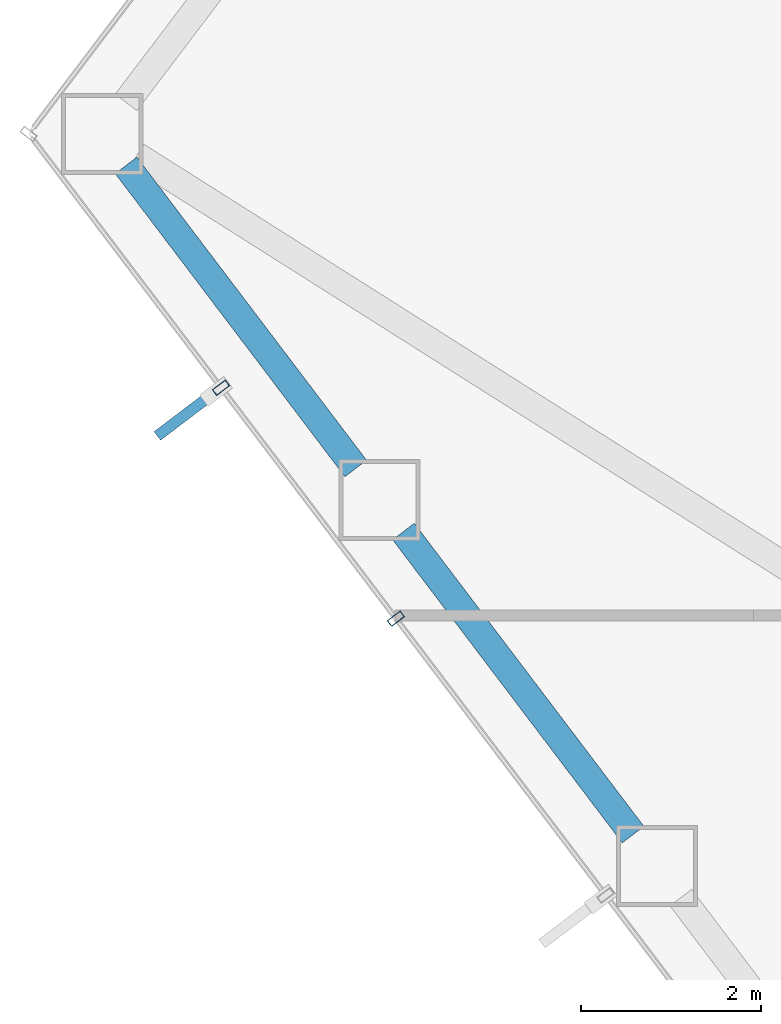
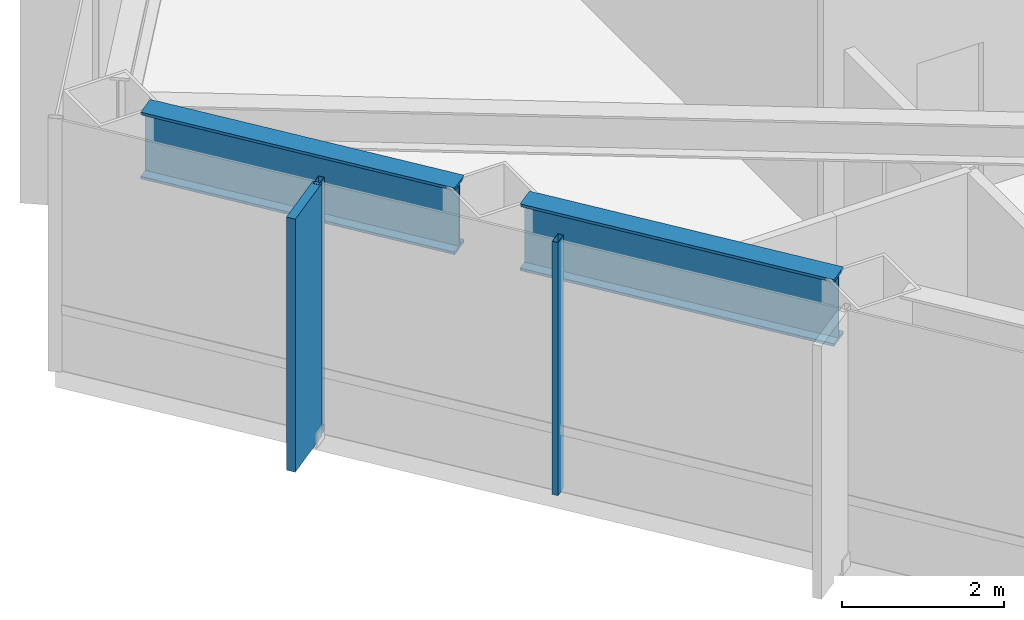
# One storey, part 4 of 24: 3 members, 2 beams, 1 element without a shape of its own.
"""IFC4 building model written with IfcOpenShell, lengths in metres."""

from ifc_helpers import new_model, si_unit, direction, frame, origin, origin_2d, place, context, subcontext, project, spatial, rectangle, hollow_rectangle, i_section, extrude, material, layer, layer_set, material_profile, profile_set, type_object, element, aggregate, save


model = new_model("IFC4")

# Units and contexts
model_context = context("Model", 3, precision=1e-05, world=origin(), true_north=direction((0.0, 1.0)))
body_context = subcontext(model_context, "Body", "Model", "MODEL_VIEW")
ifc_project = project(units=[si_unit("LENGTHUNIT", "METRE"), si_unit("AREAUNIT", "SQUARE_METRE"), si_unit("VOLUMEUNIT", "CUBIC_METRE"), si_unit("PLANEANGLEUNIT", "RADIAN"), si_unit("MASSUNIT", "GRAM", prefix="KILO")], contexts=[model_context])

# Site, building, storey
site_placement = place(None, origin())
site = spatial("IfcSite", under=ifc_project, at=site_placement, CompositionType="ELEMENT")
building_placement = place(site_placement, origin())
building = spatial("IfcBuilding", under=site, at=building_placement, Name="Zarrinselat Tower", CompositionType="ELEMENT")
storey_placement = place(building_placement, frame((0.0, 0.0, 72.419921875)))
storey = spatial("IfcBuildingStorey", under=building, at=storey_placement, Name="L17", CompositionType="ELEMENT", Elevation=72.419921875)

# Beams
ifc_material_1 = material(Name="Steel S460M", Category="steel")
ifc_material_profile_1 = material_profile(ifc_material_1, i_section(OverallWidth=0.302001953125, OverallDepth=1.008056640625, WebThickness=0.02099609375, FlangeThickness=0.0400390625, at=origin_2d()), Name="HEM 1000")
ifc_profile_set_1 = profile_set([ifc_material_profile_1], Name="Steel S460M")
beam_type = type_object("IfcBeamType", Name="BM-HEM1000", PredefinedType="BEAM", material=ifc_profile_set_1)
for number, where, z_axis, x_axis, name in (
    (1, (16.54541015625, 35.1376953125, 3.316162109375), (0.603894488419, -0.797064267708, 0.0), (0.797064267708, 0.603894488419, 0.0), "L17 Perimeter Spandrel Girder SP06"),
    (2, (19.61962890625, 31.079833984375, 3.316162109375), (0.603829808342, -0.797113268336, 0.0), (0.797113268336, 0.603829808342, 0.0), "L17 Perimeter Spandrel Girder SP07"),
):
    element("IfcBeam", number, at=place(storey_placement, frame(where, z_axis=z_axis, x_axis=x_axis)), inside=storey, type_object=beam_type, Name=name, PredefinedType="BEAM", context=body_context, shape_type="SweptSolid", body=[
        extrude(i_section(OverallWidth=0.302001953125, OverallDepth=1.008056640625, WebThickness=0.02099609375, FlangeThickness=0.0400390625, at=origin_2d()), origin(), (0.0, 0.0, 1.0), 4.215087890625),
    ])

# Curtain wall, members
ifc_material_2 = material(Name="Extruded Aluminium Alloy EN AW-6063 T6", Category="aluminium")
ifc_layer = layer(ifc_material_2, 0.18505859375)
ifc_layer_set = layer_set([ifc_layer], Name="Extruded Aluminium Alloy EN AW-6063 T6")
curtain_wall_type = type_object("IfcCurtainWallType", Name="CWS-OFF", PredefinedType="NOTDEFINED", material=ifc_layer_set)
curtain_wall_placement = place(storey_placement, origin())
curtain_wall = element("IfcCurtainWall", 3, at=curtain_wall_placement, inside=storey, type_object=curtain_wall_type, Name="L17 Unitised Curtain Wall CW-L17-E03", PredefinedType="NOTDEFINED")
ifc_material_3 = material(Name="Extruded Aluminium Alloy EN AW-6063 T6", Category="aluminium")
ifc_material_profile_2 = material_profile(ifc_material_3, hollow_rectangle(XDim=0.080078125, YDim=0.179931640625, WallThickness=0.0048828125, at=origin_2d()), Name="RHS 180x80x5")
ifc_profile_set_2 = profile_set([ifc_material_profile_2], Name="Extruded Aluminium Alloy EN AW-6063 T6")
member_type_1 = type_object("IfcMemberType", Name="MEM-CW-MUL", PredefinedType="MULLION", material=ifc_profile_set_2)
member_1_placement = place(storey_placement, frame((17.596923828125, 32.673095703125, 0.0), z_axis=(0.0, 0.0, 1.0), x_axis=(0.603854869931, -0.797094283044, 0.0)))
member_1 = element("IfcMember", 4, at=member_1_placement, type_object=member_type_1, Name="CW-L17-E03 Mullion 1", PredefinedType="MULLION", context=body_context, shape_type="SweptSolid", body=[
    extrude(hollow_rectangle(XDim=0.080078125, YDim=0.179931640625, WallThickness=0.0048828125, at=origin_2d()), origin(), (0.0, 0.0, 1.0), 3.820068359375),
])
member_2_placement = place(storey_placement, frame((19.535888671875, 30.11376953125, 0.0), z_axis=(0.0, 0.0, 1.0), x_axis=(0.603854869931, -0.797094283044, 0.0)))
member_2 = element("IfcMember", 5, at=member_2_placement, type_object=member_type_1, Name="CW-L17-E03 Mullion 2", PredefinedType="MULLION", context=body_context, shape_type="SweptSolid", body=[
    extrude(hollow_rectangle(XDim=0.080078125, YDim=0.179931640625, WallThickness=0.0048828125, at=origin_2d()), origin(), (0.0, 0.0, 1.0), 3.820068359375),
])
ifc_material_4 = material(Name="Honed Cream Travertine Stone", Category="masonry")
ifc_material_profile_3 = material_profile(ifc_material_4, rectangle(XDim=0.1201171875, YDim=0.85009765625, at=origin_2d()), Name="FIN 850x120")
ifc_profile_set_3 = profile_set([ifc_material_profile_3], Name="Honed Cream Travertine Stone")
member_type_2 = type_object("IfcMemberType", Name="MEM-STONE-FIN", PredefinedType="USERDEFINED", material=ifc_profile_set_3)
member_3_placement = place(storey_placement, frame((17.230224609375, 32.3955078125, 0.0), z_axis=(0.0, 0.0, 1.0), x_axis=(-0.603854869931, 0.797094283044, 0.0)))
member_3 = element("IfcMember", 6, at=member_3_placement, type_object=member_type_2, Name="L17 Stone Shading Fin CW-L17-E03-01", ObjectType="FIN", PredefinedType="USERDEFINED", context=body_context, shape_type="SweptSolid", body=[
    extrude(rectangle(XDim=0.1201171875, YDim=0.85009765625, at=origin_2d()), origin(), (0.0, 0.0, 1.0), 3.820068359375),
])
aggregate(curtain_wall, [member_1, member_3, member_2])

save(model, "model.ifc")
